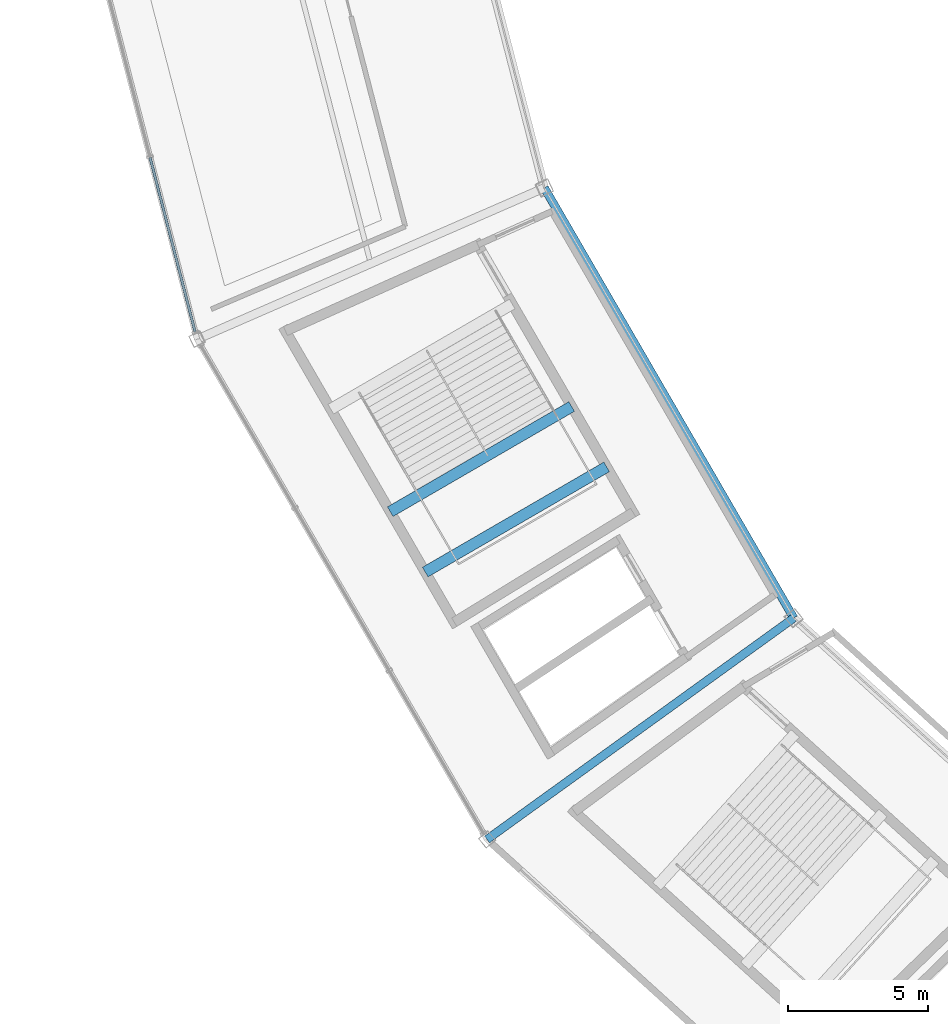
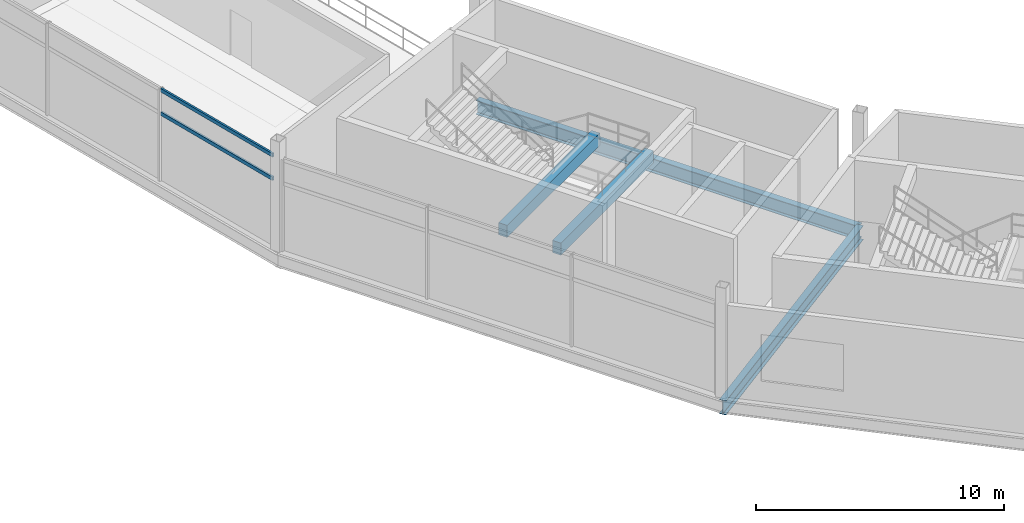
# One storey, part 18 of 103: 4 beams, 2 members, 1 element without a shape of its own.
"""IFC4 building model written with IfcOpenShell, lengths in metres."""

from ifc_helpers import new_model, si_unit, direction, frame, origin, origin_2d, place, context, subcontext, project, spatial, rectangle, hollow_rectangle, i_section, extrude, material, layer, layer_set, material_profile, profile_set, type_object, element, aggregate, save


model = new_model("IFC4")

# Units and contexts
model_context = context("Model", 3, precision=1e-05, world=origin(), true_north=direction((0.0, 1.0)))
body_context = subcontext(model_context, "Body", "Model", "MODEL_VIEW")
ifc_project = project(units=[si_unit("LENGTHUNIT", "METRE"), si_unit("AREAUNIT", "SQUARE_METRE"), si_unit("VOLUMEUNIT", "CUBIC_METRE"), si_unit("PLANEANGLEUNIT", "RADIAN"), si_unit("MASSUNIT", "GRAM", prefix="KILO")], contexts=[model_context])

# Site, building, storey
site_placement = place(None, origin())
site = spatial("IfcSite", under=ifc_project, at=site_placement, CompositionType="ELEMENT")
building_placement = place(site_placement, origin())
building = spatial("IfcBuilding", under=site, at=building_placement, Name="Kazemori Nagisa Stadium", CompositionType="ELEMENT")
storey_placement = place(building_placement, frame((0.0, 0.0, 25.840087890625)))
storey = spatial("IfcBuildingStorey", under=building, at=storey_placement, Name="L05", CompositionType="ELEMENT", Elevation=25.840087890625)

# Beams
ifc_material_1 = material(Name="Steel SN490B", Category="steel")
ifc_material_profile_1 = material_profile(ifc_material_1, i_section(OverallWidth=0.300048828125, OverallDepth=0.699951171875, WebThickness=0.012939453125, FlangeThickness=0.02392578125, FilletRadius=0.01806640625, at=origin_2d()), Name="H-700x300x13x24")
ifc_profile_set_1 = profile_set([ifc_material_profile_1], Name="Steel SN490B")
beam_type_1 = type_object("IfcBeamType", Name="Beam_BG-H700", PredefinedType="BEAM", material=ifc_profile_set_1)
beam_1_placement = place(storey_placement, frame((46.55908203125, 68.67529296875, -0.610107421875), z_axis=(0.501606704589, -0.865095783085, 0.0), x_axis=(0.865095783085, 0.501606704589, 0.0)))
element("IfcBeam", 1, at=beam_1_placement, inside=storey, type_object=beam_type_1, Name="Ring girder BG-H700 L05 R2-17", PredefinedType="BEAM", context=body_context, shape_type="SweptSolid", body=[
    extrude(i_section(OverallWidth=0.300048828125, OverallDepth=0.699951171875, WebThickness=0.012939453125, FlangeThickness=0.02392578125, FilletRadius=0.01806640625, at=origin_2d()), origin(), (0.0, 0.0, 1.0), 17.8125),
])
beam_2_placement = place(storey_placement, frame((55.493896484375, 53.265869140625, -0.610107421875), z_axis=(-0.810787509935, -0.585340596349, 0.0), x_axis=(0.585340596349, -0.810787509935, 0.0)))
element("IfcBeam", 2, at=beam_2_placement, inside=storey, type_object=beam_type_1, Name="Radial girder BG-H700 L05 R2-R3-18", PredefinedType="BEAM", context=body_context, shape_type="SweptSolid", body=[
    extrude(i_section(OverallWidth=0.300048828125, OverallDepth=0.699951171875, WebThickness=0.012939453125, FlangeThickness=0.02392578125, FilletRadius=0.01806640625, at=origin_2d()), origin(), (0.0, 0.0, 1.0), 13.5537109375),
])
ifc_material_2 = material(Name="Concrete C40/50 (Fc42)", Category="concrete")
ifc_material_profile_2 = material_profile(ifc_material_2, rectangle(XDim=0.39990234375, YDim=0.60009765625, at=origin_2d()), Name="RC-BM-400x600")
ifc_profile_set_2 = profile_set([ifc_material_profile_2], Name="Concrete C40/50 (Fc42)")
beam_type_2 = type_object("IfcBeamType", Name="Beam_BG-LND400X600", PredefinedType="BEAM", material=ifc_profile_set_2)
beam_3_placement = place(storey_placement, frame((47.53759765625, 60.84228515625, 2.219970703125), z_axis=(-0.865094639125, -0.501608677514, 0.0), x_axis=(0.501608677514, -0.865094639125, 0.0)))
element("IfcBeam", 3, at=beam_3_placement, inside=storey, type_object=beam_type_2, Name="Core stair mid-landing girder ST09-L05-1", PredefinedType="BEAM", context=body_context, shape_type="SweptSolid", body=[
    extrude(rectangle(XDim=0.39990234375, YDim=0.60009765625, at=origin_2d()), origin(), (0.0, 0.0, 1.0), 7.513916015625),
])
beam_4_placement = place(storey_placement, frame((48.79150390625, 58.6796875, 2.219970703125), z_axis=(-0.865086463473, -0.50162277731, 0.0), x_axis=(0.50162277731, -0.865086463473, 0.0)))
element("IfcBeam", 4, at=beam_4_placement, inside=storey, type_object=beam_type_2, Name="Core stair mid-landing girder ST09-L05-2", PredefinedType="BEAM", context=body_context, shape_type="SweptSolid", body=[
    extrude(rectangle(XDim=0.39990234375, YDim=0.60009765625, at=origin_2d()), origin(), (0.0, 0.0, 1.0), 7.513671875),
])

# Curtain wall, members
ifc_material_3 = material(Name="Anodised aluminium 6063-T5", Category="aluminium")
ifc_layer = layer(ifc_material_3, 0.239990234375, Name="Anodised aluminium 6063-T5", Category="aluminium")
ifc_layer_set = layer_set([ifc_layer], Name="Anodised aluminium 6063-T5")
curtain_wall_type = type_object("IfcCurtainWallType", Name="CW_L05R3_98", PredefinedType="USERDEFINED", material=ifc_layer_set)
curtain_wall_placement = place(storey_placement, origin())
curtain_wall = element("IfcCurtainWall", 5, at=curtain_wall_placement, inside=storey, type_object=curtain_wall_type, Name="Unitised curtain wall CW-L05R3-98 L05", ObjectType="UNITISED CURTAIN WALL", PredefinedType="USERDEFINED")
ifc_material_4 = material(Name="Aluminium 6063-T5 anodised", Category="aluminium")
ifc_material_profile_3 = material_profile(ifc_material_4, hollow_rectangle(XDim=0.090087890625, YDim=0.179931640625, WallThickness=0.0048828125, at=origin_2d()), Name="ALU-TRAN-90x180x5")
ifc_profile_set_3 = profile_set([ifc_material_profile_3], Name="Aluminium 6063-T5 anodised")
member_type = type_object("IfcMemberType", Name="Transom_T03", PredefinedType="USERDEFINED", material=ifc_profile_set_3)
member_1_placement = place(storey_placement, frame((32.43359375, 69.763916015625, 3.306884765625), z_axis=(0.249971861357, -0.968253101482, 0.0), x_axis=(0.968253101482, 0.249971861357, 0.0)))
member_1 = element("IfcMember", 6, at=member_1_placement, type_object=member_type, Name="Curtain wall transom CW-L05R3-98-T3-mid", ObjectType="TRANSOM", PredefinedType="USERDEFINED", context=body_context, shape_type="SweptSolid", body=[
    extrude(hollow_rectangle(XDim=0.090087890625, YDim=0.179931640625, WallThickness=0.0048828125, at=origin_2d()), origin(), (0.0, 0.0, 1.0), 6.451904296875),
])
member_2_placement = place(storey_placement, frame((32.43359375, 69.763916015625, 4.4599609375), z_axis=(0.249971861357, -0.968253101482, 0.0), x_axis=(0.968253101482, 0.249971861357, 0.0)))
member_2 = element("IfcMember", 7, at=member_2_placement, type_object=member_type, Name="Curtain wall transom CW-L05R3-98-T3-head", ObjectType="TRANSOM", PredefinedType="USERDEFINED", context=body_context, shape_type="SweptSolid", body=[
    extrude(hollow_rectangle(XDim=0.090087890625, YDim=0.179931640625, WallThickness=0.0048828125, at=origin_2d()), origin(), (0.0, 0.0, 1.0), 6.451904296875),
])
aggregate(curtain_wall, [member_1, member_2])

save(model, "model.ifc")
